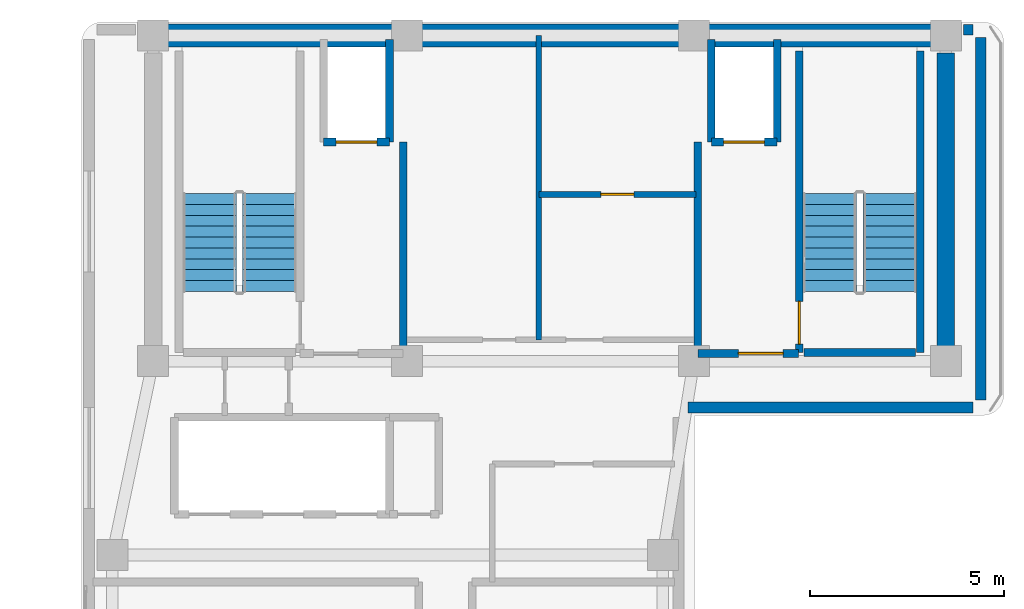
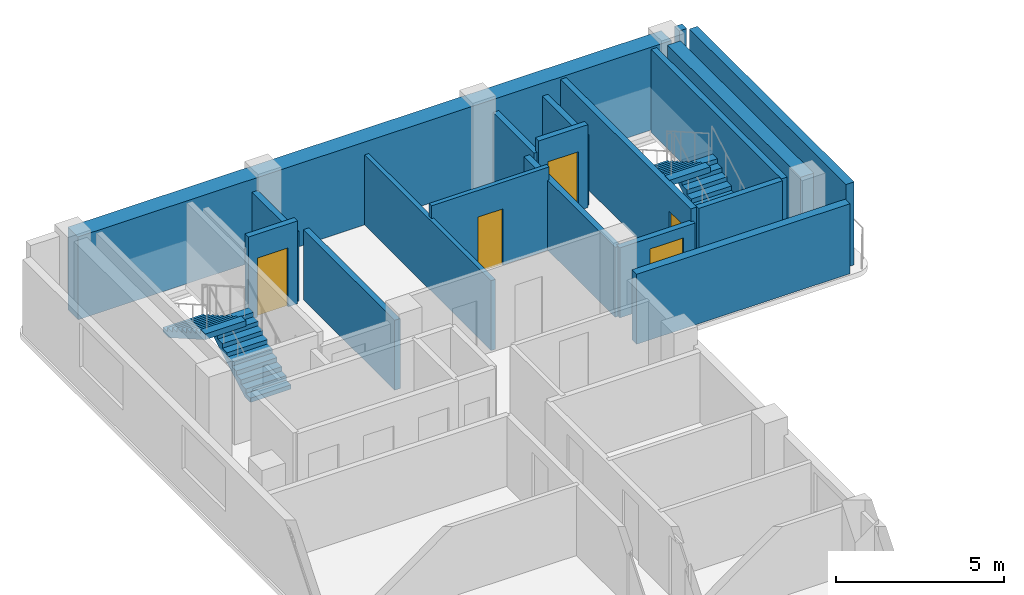
# One storey, part 8 of 9: 18 walls, 5 doors, 4 stair flights, 5 openings, 2 elements without a shape of their own.
"""IFC4 building model written with IfcOpenShell, lengths in metres."""

from ifc_helpers import new_model, si_unit, direction, frame, frame_2d, origin, place, context, subcontext, project, spatial, polyline, rectangle, outline, extrude, material, layer, layer_set, type_object, element, fill, aggregate, save


model = new_model("IFC4")

# Units and contexts
model_context = context("Model", 3, precision=1e-05, world=origin(), true_north=direction((0.0, 1.0)))
body_context = subcontext(model_context, "Body", "Model", "MODEL_VIEW")
ifc_project = project(units=[si_unit("LENGTHUNIT", "METRE"), si_unit("AREAUNIT", "SQUARE_METRE"), si_unit("VOLUMEUNIT", "CUBIC_METRE"), si_unit("PLANEANGLEUNIT", "RADIAN"), si_unit("MASSUNIT", "GRAM", prefix="KILO")], contexts=[model_context])

# Site, building, storey
site_placement = place(None, origin())
site = spatial("IfcSite", under=ifc_project, at=site_placement, CompositionType="ELEMENT")
building_placement = place(site_placement, origin())
building = spatial("IfcBuilding", under=site, at=building_placement, Name="Kuzgunbayir Cultural Tower", CompositionType="ELEMENT")
storey_placement = place(building_placement, frame((0.0, 0.0, 240.800048828125)))
storey = spatial("IfcBuildingStorey", under=building, at=storey_placement, Name="L71", CompositionType="ELEMENT", Elevation=240.800048828125)

# Walls
ifc_material_1 = material(Name="Concrete C50/60", Category="concrete")
ifc_layer_1 = layer(ifc_material_1, 0.449951171875)
ifc_layer_set_1 = layer_set([ifc_layer_1], Name="Concrete C50/60")
wall_type_1 = type_object("IfcWallType", Name="WAL-CORE-450", PredefinedType="SHEAR", material=ifc_layer_set_1)
wall_1_placement = place(storey_placement, frame((26.89990234375, 33.800048828125, 0.0), z_axis=(0.0, 0.0, 1.0), x_axis=(0.0, 1.0, 0.0)))
element("IfcWall", 1, at=wall_1_placement, inside=storey, type_object=wall_type_1, Name="L71 T1 Core East Shear Wall", PredefinedType="SHEAR", context=body_context, shape_type="SweptSolid", body=[
    extrude(rectangle(XDim=7.949951171875, YDim=0.449951171875, at=frame_2d((3.97509765625, 0.0))), origin(), (0.0, 0.0, 1.0), 3.02001953125),
])
ifc_material_2 = material(Name="Concrete C60/75", Category="concrete")
ifc_layer_2 = layer(ifc_material_2, 0.60009765625)
ifc_layer_set_2 = layer_set([ifc_layer_2], Name="Concrete C60/75")
wall_type_2 = type_object("IfcWallType", Name="WAL-CORE-600", PredefinedType="SHEAR", material=ifc_layer_set_2)
wall_2_placement = place(storey_placement, frame((6.449951171875, 42.199951171875, 0.0), z_axis=(0.0, 0.0, 1.0), x_axis=(1.0, 0.0, 0.0)))
element("IfcWall", 2, at=wall_2_placement, inside=storey, type_object=wall_type_2, Name="L71 T1 Core North Shear Wall", PredefinedType="SHEAR", context=body_context, shape_type="SweptSolid", body=[
    extrude(rectangle(XDim=20.449951171875, YDim=0.60009765625, at=frame_2d((10.22509765625, 0.0))), origin(), (0.0, 0.0, 1.0), 3.02001953125),
])
ifc_material_3 = material(Name="Anatolian Cream Limestone", Category="masonry")
ifc_layer_3 = layer(ifc_material_3, 0.280029296875)
ifc_layer_set_3 = layer_set([ifc_layer_3], Name="Anatolian Cream Limestone")
wall_type_3 = type_object("IfcWallType", Name="WAL-EXT-STONE-280", PredefinedType="STANDARD", material=ifc_layer_set_3)
wall_3_placement = place(storey_placement, frame((27.60009765625, 42.35009765625, 0.0), z_axis=(0.0, 0.0, 1.0), x_axis=(-1.0, 0.0, 0.0)))
element("IfcWall", 3, at=wall_3_placement, inside=storey, type_object=wall_type_3, Name="L71 North Wing B Limestone Wall", PredefinedType="STANDARD", context=body_context, shape_type="SweptSolid", body=[
    extrude(rectangle(XDim=0.25, YDim=0.280029296875, at=frame_2d((0.125, 0.0))), origin(), (0.0, 0.0, 1.0), 3.02001953125),
])
wall_4_placement = place(storey_placement, frame((27.800048828125, 32.800048828125, 0.0), z_axis=(0.0, 0.0, 1.0), x_axis=(0.0, 1.0, 0.0)))
element("IfcWall", 4, at=wall_4_placement, inside=storey, type_object=wall_type_3, Name="L71 Rear Core East Limestone Wall", PredefinedType="STANDARD", context=body_context, shape_type="SweptSolid", body=[
    extrude(rectangle(XDim=9.349853515625, YDim=0.280029296875, at=frame_2d((4.6748046875, 0.0))), origin(), (0.0, 0.0, 1.0), 3.02001953125),
])
wall_5_placement = place(storey_placement, frame((20.25, 32.60009765625, 0.0), z_axis=(0.0, 0.0, 1.0), x_axis=(1.0, 0.0, 0.0)))
element("IfcWall", 5, at=wall_5_placement, inside=storey, type_object=wall_type_3, Name="L71 Core South Soffit Wall", PredefinedType="STANDARD", context=body_context, shape_type="SweptSolid", body=[
    extrude(rectangle(XDim=7.35009765625, YDim=0.280029296875, at=frame_2d((3.675048828125, 0.0))), origin(), (0.0, 0.0, 1.0), 2.550048828125),
])
ifc_material_4 = material(Name="Acoustic Double-Stud Drywall", Category="gypsum")
ifc_layer_4 = layer(ifc_material_4, 0.14990234375)
ifc_layer_set_4 = layer_set([ifc_layer_4], Name="Acoustic Double-Stud Drywall")
wall_type_4 = type_object("IfcWallType", Name="WAL-PART-ACOUSTIC-150", PredefinedType="PARTITIONING", material=ifc_layer_set_4)
wall_6_placement = place(storey_placement, frame((16.39990234375, 34.35009765625, 0.0), z_axis=(0.0, 0.0, 1.0), x_axis=(0.0, 1.0, 0.0)))
element("IfcWall", 6, at=wall_6_placement, inside=storey, type_object=wall_type_4, Name="L71 Sky Core Tri-Wall 1", PredefinedType="PARTITIONING", context=body_context, shape_type="SweptSolid", body=[
    extrude(rectangle(XDim=7.849853515625, YDim=0.14990234375, at=frame_2d((3.9248046875, 0.0))), origin(), (0.0, 0.0, 1.0), 2.550048828125),
])

# Wall, opening, door
wall_7_placement = place(storey_placement, frame((16.39990234375, 38.10009765625, 0.0), z_axis=(0.0, 0.0, 1.0), x_axis=(1.0, 0.0, 0.0)))
wall_7 = element("IfcWall", 7, at=wall_7_placement, inside=storey, type_object=wall_type_4, Name="L71 Sky Core Mid Divider", PredefinedType="PARTITIONING", context=body_context, shape_type="SweptSolid", body=[
    extrude(rectangle(XDim=4.050048828125, YDim=0.14990234375, at=frame_2d((2.02490234375, 0.0))), origin(), (0.0, 0.0, 1.0), 3.02001953125),
])
opening_1_placement = place(wall_7_placement, frame((1.60009765625, 0.0, 0.0)))
opening_1 = element("IfcOpeningElement", 8, at=opening_1_placement, cuts=wall_7, Name="Opening DC-85", PredefinedType="OPENING", context=body_context, shape_type="SweptSolid", body=[
    extrude(rectangle(XDim=0.85009765625, YDim=2.050048828125, at=frame_2d((0.425048828125, 1.02490234375))), frame((0.0, 0.0849609375, 0.0), z_axis=(0.0, -1.0, 0.0), x_axis=(1.0, 0.0, 0.0)), (0.0, 0.0, 1.0), 0.169921875),
])
ifc_material_5 = material(Name="Fire-Rated Veneered Oak Leaf", Category="wood")
door_type_1 = type_object("IfcDoorType", Name="DR-CORE-85", OperationType="NOTDEFINED", PredefinedType="DOOR", material=ifc_material_5)
door_1_placement = place(opening_1_placement, origin())
door_1 = element("IfcDoor", 9, at=door_1_placement, inside=storey, type_object=door_type_1, Name="L71 Meditation Room Door", OperationType="SINGLE_SWING_LEFT", OverallHeight=2.050048828125, OverallWidth=0.85009765625, PredefinedType="DOOR", context=body_context, shape_type="SweptSolid", body=[
    extrude(rectangle(XDim=0.85009765625, YDim=2.050048828125, at=frame_2d((0.425048828125, 1.02490234375))), frame((0.0, 0.02490234375, 0.0), z_axis=(0.0, -1.0, 0.0), x_axis=(1.0, 0.0, 0.0)), (0.0, 0.0, 1.0), 0.050048828125),
])
fill(opening_1, door_1)

# Walls
ifc_material_6 = material(Name="Aerated Concrete Blockwork", Category="masonry")
ifc_layer_5 = layer(ifc_material_6, 0.199951171875)
ifc_layer_set_5 = layer_set([ifc_layer_5], Name="Aerated Concrete Blockwork")
wall_type_5 = type_object("IfcWallType", Name="WAL-PART-FIRE-200", PredefinedType="PARTITIONING", material=ifc_layer_set_5)
for number, where, z_axis, x_axis, name in (
    (10, (12.89990234375, 34.0, 0.0), (0.0, 0.0, 1.0), (0.0, 1.0, 0.0), "L71 FFL-1 Lobby East Fire Wall"),
    (11, (20.5, 34.0, 0.0), (0.0, 0.0, 1.0), (0.0, 1.0, 0.0), "L71 FFL-2 Lobby West Fire Wall"),
):
    element("IfcWall", number, at=place(storey_placement, frame(where, z_axis=z_axis, x_axis=x_axis)), inside=storey, type_object=wall_type_5, Name=name, PredefinedType="PARTITIONING", context=body_context, shape_type="SweptSolid", body=[
        extrude(rectangle(XDim=5.449951171875, YDim=0.199951171875, at=frame_2d((2.72509765625, 0.0))), origin(), (0.0, 0.0, 1.0), 2.550048828125),
    ])

# Wall, opening, door
wall_8_placement = place(storey_placement, frame((20.5, 34.0, 0.0), z_axis=(0.0, 0.0, 1.0), x_axis=(1.0, 0.0, 0.0)))
wall_8 = element("IfcWall", 12, at=wall_8_placement, inside=storey, type_object=wall_type_5, Name="L71 FFL-2 Lobby South Fire Wall", PredefinedType="PARTITIONING", context=body_context, shape_type="SweptSolid", body=[
    extrude(rectangle(XDim=2.60009765625, YDim=0.199951171875, at=frame_2d((1.300048828125, 0.0))), origin(), (0.0, 0.0, 1.0), 2.550048828125),
])
opening_2_placement = place(wall_8_placement, frame((1.050048828125, 0.0, 0.0)))
opening_2 = element("IfcOpeningElement", 13, at=opening_2_placement, cuts=wall_8, Name="Opening DR-FFL-90", PredefinedType="OPENING", context=body_context, shape_type="SweptSolid", body=[
    extrude(rectangle(XDim=1.14990234375, YDim=2.14990234375, at=frame_2d((0.574951171875, 1.074951171875))), frame((0.0, 0.10986328125, 0.0), z_axis=(0.0, -1.0, 0.0), x_axis=(1.0, 0.0, 0.0)), (0.0, 0.0, 1.0), 0.219970703125),
])
ifc_material_7 = material(Name="Steel S355J2", Category="steel")
door_type_2 = type_object("IfcDoorType", Name="DR-FFL-90", OperationType="NOTDEFINED", PredefinedType="DOOR", material=ifc_material_7)
door_2_placement = place(opening_2_placement, origin())
door_2 = element("IfcDoor", 14, at=door_2_placement, inside=storey, type_object=door_type_2, Name="L71 Firefighting Lobby 2 Door", OperationType="SINGLE_SWING_LEFT", OverallHeight=2.14990234375, OverallWidth=1.14990234375, PredefinedType="DOOR", context=body_context, shape_type="SweptSolid", body=[
    extrude(rectangle(XDim=1.14990234375, YDim=2.14990234375, at=frame_2d((0.574951171875, 1.074951171875))), frame((0.0, 0.02490234375, 0.0), z_axis=(0.0, -1.0, 0.0), x_axis=(1.0, 0.0, 0.0)), (0.0, 0.0, 1.0), 0.050048828125),
])
fill(opening_2, door_2)

ifc_material_8 = material(Name="Concrete C40/50", Category="concrete")
ifc_layer_6 = layer(ifc_material_8, 0.199951171875)
ifc_layer_set_6 = layer_set([ifc_layer_6], Name="Concrete C40/50")
wall_type_6 = type_object("IfcWallType", Name="WAL-SHAFT-200", PredefinedType="MOVABLE", material=ifc_layer_set_6)
wall_9_placement = place(storey_placement, frame((10.85009765625, 39.449951171875, 0.0), z_axis=(0.0, 0.0, 1.0), x_axis=(1.0, 0.0, 0.0)))
wall_9 = element("IfcWall", 15, at=wall_9_placement, inside=storey, type_object=wall_type_6, Name="L71 FFL-1 Lift Front Wall", PredefinedType="MOVABLE", context=body_context, shape_type="SweptSolid", body=[
    extrude(rectangle(XDim=1.699951171875, YDim=0.199951171875, at=frame_2d((0.85009765625, 0.0))), origin(), (0.0, 0.0, 1.0), 3.02001953125),
])
opening_3_placement = place(wall_9_placement, frame((0.320068359375, 0.0, 0.0)))
opening_3 = element("IfcOpeningElement", 16, at=opening_3_placement, cuts=wall_9, Name="Opening LD", PredefinedType="OPENING", context=body_context, shape_type="SweptSolid", body=[
    extrude(rectangle(XDim=1.050048828125, YDim=2.14990234375, at=frame_2d((0.52490234375, 1.074951171875))), frame((0.0, 0.10986328125, 0.0), z_axis=(0.0, -1.0, 0.0), x_axis=(1.0, 0.0, 0.0)), (0.0, 0.0, 1.0), 0.219970703125),
])
ifc_material_9 = material(Name="Brushed Stainless Steel", Category="steel")
door_type_3 = type_object("IfcDoorType", Name="DR-LIFT-LANDING", OperationType="SLIDING_TO_LEFT", PredefinedType="DOOR", material=ifc_material_9)
door_3_placement = place(opening_3_placement, origin())
door_3 = element("IfcDoor", 17, at=door_3_placement, inside=storey, type_object=door_type_3, Name="L71 Lift FFL-1 Landing Door", OperationType="SLIDING_TO_LEFT", OverallHeight=2.14990234375, OverallWidth=1.050048828125, PredefinedType="DOOR", context=body_context, shape_type="SweptSolid", body=[
    extrude(rectangle(XDim=1.050048828125, YDim=2.14990234375, at=frame_2d((0.52490234375, 1.074951171875))), frame((0.0, 0.02490234375, 0.0), z_axis=(0.0, -1.0, 0.0), x_axis=(1.0, 0.0, 0.0)), (0.0, 0.0, 1.0), 0.050048828125),
])
fill(opening_3, door_3)

wall_10_placement = place(storey_placement, frame((20.85009765625, 39.449951171875, 0.0), z_axis=(0.0, 0.0, 1.0), x_axis=(1.0, 0.0, 0.0)))
wall_10 = element("IfcWall", 18, at=wall_10_placement, inside=storey, type_object=wall_type_6, Name="L71 FFL-2 Lift Front Wall", PredefinedType="MOVABLE", context=body_context, shape_type="SweptSolid", body=[
    extrude(rectangle(XDim=1.699951171875, YDim=0.199951171875, at=frame_2d((0.85009765625, 0.0))), origin(), (0.0, 0.0, 1.0), 3.02001953125),
])
opening_4_placement = place(wall_10_placement, frame((0.320068359375, 0.0, 0.0)))
opening_4 = element("IfcOpeningElement", 19, at=opening_4_placement, cuts=wall_10, Name="Opening LD", PredefinedType="OPENING", context=body_context, shape_type="SweptSolid", body=[
    extrude(rectangle(XDim=1.050048828125, YDim=2.14990234375, at=frame_2d((0.52490234375, 1.074951171875))), frame((0.0, 0.10986328125, 0.0), z_axis=(0.0, -1.0, 0.0), x_axis=(1.0, 0.0, 0.0)), (0.0, 0.0, 1.0), 0.219970703125),
])
door_4_placement = place(opening_4_placement, origin())
door_4 = element("IfcDoor", 20, at=door_4_placement, inside=storey, type_object=door_type_3, Name="L71 Lift FFL-2 Landing Door", OperationType="SLIDING_TO_LEFT", OverallHeight=2.14990234375, OverallWidth=1.050048828125, PredefinedType="DOOR", context=body_context, shape_type="SweptSolid", body=[
    extrude(rectangle(XDim=1.050048828125, YDim=2.14990234375, at=frame_2d((0.52490234375, 1.074951171875))), frame((0.0, 0.02490234375, 0.0), z_axis=(0.0, -1.0, 0.0), x_axis=(1.0, 0.0, 0.0)), (0.0, 0.0, 1.0), 0.050048828125),
])
fill(opening_4, door_4)

# Walls
for number, where, z_axis, x_axis, name in (
    (21, (12.550048828125, 39.449951171875, 0.0), (0.0, 0.0, 1.0), (0.0, 1.0, 0.0), "L71 FFL-1 Shaft East Wall"),
    (22, (20.85009765625, 39.449951171875, 0.0), (0.0, 0.0, 1.0), (0.0, 1.0, 0.0), "L71 FFL-2 Shaft West Wall"),
    (23, (22.550048828125, 39.449951171875, 0.0), (0.0, 0.0, 1.0), (0.0, 1.0, 0.0), "L71 FFL-2 Shaft East Wall"),
):
    element("IfcWall", number, at=place(storey_placement, frame(where, z_axis=z_axis, x_axis=x_axis)), inside=storey, type_object=wall_type_6, Name=name, PredefinedType="MOVABLE", context=body_context, shape_type="SweptSolid", body=[
        extrude(rectangle(XDim=2.650146484375, YDim=0.199951171875, at=frame_2d((1.3251953125, 0.0))), origin(), (0.0, 0.0, 1.0), 2.550048828125),
    ])

# Wall, opening, door
ifc_layer_7 = layer(ifc_material_8, 0.199951171875)
ifc_layer_set_7 = layer_set([ifc_layer_7], Name="Concrete C40/50")
wall_type_7 = type_object("IfcWallType", Name="WAL-STAIR-RC-200", PredefinedType="SHEAR", material=ifc_layer_set_7)
wall_11_placement = place(storey_placement, frame((23.1201171875, 34.02001953125, 0.0), z_axis=(0.0, 0.0, 1.0), x_axis=(0.0, 1.0, 0.0)))
wall_11 = element("IfcWall", 24, at=wall_11_placement, inside=storey, type_object=wall_type_7, Name="L71 Stair ST-2 West Structural Wall", PredefinedType="SHEAR", context=body_context, shape_type="SweptSolid", body=[
    extrude(rectangle(XDim=7.780029296875, YDim=0.199951171875, at=frame_2d((3.89013671875, 0.0))), origin(), (0.0, 0.0, 1.0), 3.02001953125),
])
opening_5_placement = place(wall_11_placement, frame((0.219970703125, 0.0, 0.0)))
opening_5 = element("IfcOpeningElement", 25, at=opening_5_placement, cuts=wall_11, Name="Opening DR-STAIR-90", PredefinedType="OPENING", context=body_context, shape_type="SweptSolid", body=[
    extrude(rectangle(XDim=1.10009765625, YDim=2.14990234375, at=frame_2d((0.550048828125, 1.074951171875))), frame((0.0, 0.10986328125, 0.0), z_axis=(0.0, -1.0, 0.0), x_axis=(1.0, 0.0, 0.0)), (0.0, 0.0, 1.0), 0.219970703125),
])
door_type_4 = type_object("IfcDoorType", Name="DR-STAIR-90", OperationType="NOTDEFINED", PredefinedType="DOOR", material=ifc_material_7)
door_5_placement = place(opening_5_placement, origin())
door_5 = element("IfcDoor", 26, at=door_5_placement, inside=storey, type_object=door_type_4, Name="L71 Stair ST-2 Fire Door", OperationType="SINGLE_SWING_LEFT", OverallHeight=2.14990234375, OverallWidth=1.10009765625, PredefinedType="DOOR", context=body_context, shape_type="SweptSolid", body=[
    extrude(rectangle(XDim=1.10009765625, YDim=2.14990234375, at=frame_2d((0.550048828125, 1.074951171875))), frame((0.0, 0.02490234375, 0.0), z_axis=(0.0, -1.0, 0.0), x_axis=(1.0, 0.0, 0.0)), (0.0, 0.0, 1.0), 0.050048828125),
])
fill(opening_5, door_5)

# Walls
wall_12_placement = place(storey_placement, frame((26.239990234375, 34.02001953125, 0.0), z_axis=(0.0, 0.0, 1.0), x_axis=(0.0, 1.0, 0.0)))
element("IfcWall", 27, at=wall_12_placement, inside=storey, type_object=wall_type_7, Name="L71 Stair ST-2 East Structural Wall", PredefinedType="SHEAR", context=body_context, shape_type="SweptSolid", body=[
    extrude(rectangle(XDim=7.780029296875, YDim=0.199951171875, at=frame_2d((3.89013671875, 0.0))), origin(), (0.0, 0.0, 1.0), 3.02001953125),
])
wall_13_placement = place(storey_placement, frame((23.239990234375, 34.02001953125, 0.0), z_axis=(0.0, 0.0, 1.0), x_axis=(1.0, 0.0, 0.0)))
element("IfcWall", 28, at=wall_13_placement, inside=storey, type_object=wall_type_7, Name="L71 Stair ST-2 South Structural Wall", PredefinedType="SHEAR", context=body_context, shape_type="SweptSolid", body=[
    extrude(rectangle(XDim=2.880126953125, YDim=0.199951171875, at=frame_2d((1.43994140625, 0.0))), origin(), (0.0, 0.0, 1.0), 3.02001953125),
])

# Stair, stair flights
stair_type = type_object("IfcStairType", Name="STR-EXIT-CORE", PredefinedType="HALF_TURN_STAIR", material=ifc_material_8)
stair_1_placement = place(storey_placement, origin())
stair_1 = element("IfcStair", 29, at=stair_1_placement, inside=storey, type_object=stair_type, Name="L71 ST-1", PredefinedType="HALF_TURN_STAIR")
stair_flight_type = type_object("IfcStairFlightType", Name="STRF-RC-140", PredefinedType="STRAIGHT", material=ifc_material_8)
stair_flight_1_placement = place(storey_placement, frame((9.4599609375, 35.60009765625, 0.0), z_axis=(0.0, 0.0, 1.0), x_axis=(0.0, 1.0, 0.0)))
stair_flight_1 = element("IfcStairFlight", 30, at=stair_flight_1_placement, type_object=stair_flight_type, Name="ST-1 flight 1", NumberOfRisers=10, NumberOfTreads=9, PredefinedType="STRAIGHT", RiserHeight=0.16, TreadLength=0.28, context=body_context, shape_type="SweptSolid", body=[
    extrude(outline(polyline([(0.0, 0.0), (0.0, 0.159912109375), (0.280029296875, 0.159912109375), (0.280029296875, 0.320068359375), (0.56005859375, 0.320068359375), (0.56005859375, 0.47998046875), (0.840087890625, 0.47998046875), (0.840087890625, 0.639892578125), (1.1201171875, 0.639892578125), (1.1201171875, 0.800048828125), (1.39990234375, 0.800048828125), (1.39990234375, 0.9599609375), (1.679931640625, 0.9599609375), (1.679931640625, 1.1201171875), (1.9599609375, 1.1201171875), (1.9599609375, 1.280029296875), (2.239990234375, 1.280029296875), (2.239990234375, 1.43994140625), (2.52001953125, 1.43994140625), (2.52001953125, 1.60009765625), (2.52001953125, 1.232666015625), (0.362548828125, 0.0), (0.0, 0.0)])), frame((0.0, 0.699951171875, 0.0), z_axis=(0.0, -1.0, 0.0), x_axis=(1.0, 0.0, 0.0)), (0.0, 0.0, 1.0), 1.39990234375),
])
stair_flight_2_placement = place(storey_placement, frame((7.89990234375, 38.1201171875, 1.599853515625), z_axis=(0.0, 0.0, 1.0), x_axis=(0.0, -1.0, 0.0)))
stair_flight_2 = element("IfcStairFlight", 31, at=stair_flight_2_placement, type_object=stair_flight_type, Name="ST-1 flight 2", NumberOfRisers=10, NumberOfTreads=9, PredefinedType="STRAIGHT", RiserHeight=0.16, TreadLength=0.28, context=body_context, shape_type="SweptSolid", body=[
    extrude(outline(polyline([(0.0, 0.0), (0.0, 0.159912109375), (0.280029296875, 0.159912109375), (0.280029296875, 0.320068359375), (0.56005859375, 0.320068359375), (0.56005859375, 0.47998046875), (0.840087890625, 0.47998046875), (0.840087890625, 0.639892578125), (1.1201171875, 0.639892578125), (1.1201171875, 0.800048828125), (1.39990234375, 0.800048828125), (1.39990234375, 0.9599609375), (1.679931640625, 0.9599609375), (1.679931640625, 1.1201171875), (1.9599609375, 1.1201171875), (1.9599609375, 1.280029296875), (2.239990234375, 1.280029296875), (2.239990234375, 1.43994140625), (2.52001953125, 1.43994140625), (2.52001953125, 1.60009765625), (2.52001953125, 1.232666015625), (0.362548828125, 0.0), (0.0, 0.0)])), frame((0.0, 0.699951171875, 0.0), z_axis=(0.0, -1.0, 0.0), x_axis=(1.0, 0.0, 0.0)), (0.0, 0.0, 1.0), 1.39990234375),
])
aggregate(stair_1, [stair_flight_1, stair_flight_2])

stair_2_placement = place(storey_placement, origin())
stair_2 = element("IfcStair", 32, at=stair_2_placement, inside=storey, type_object=stair_type, Name="L71 ST-2", PredefinedType="HALF_TURN_STAIR")
stair_flight_3_placement = place(storey_placement, frame((25.4599609375, 35.60009765625, 0.0), z_axis=(0.0, 0.0, 1.0), x_axis=(0.0, 1.0, 0.0)))
stair_flight_3 = element("IfcStairFlight", 33, at=stair_flight_3_placement, type_object=stair_flight_type, Name="ST-2 flight 1", NumberOfRisers=10, NumberOfTreads=9, PredefinedType="STRAIGHT", RiserHeight=0.16, TreadLength=0.28, context=body_context, shape_type="SweptSolid", body=[
    extrude(outline(polyline([(0.0, 0.0), (0.0, 0.159912109375), (0.280029296875, 0.159912109375), (0.280029296875, 0.320068359375), (0.56005859375, 0.320068359375), (0.56005859375, 0.47998046875), (0.840087890625, 0.47998046875), (0.840087890625, 0.639892578125), (1.1201171875, 0.639892578125), (1.1201171875, 0.800048828125), (1.39990234375, 0.800048828125), (1.39990234375, 0.9599609375), (1.679931640625, 0.9599609375), (1.679931640625, 1.1201171875), (1.9599609375, 1.1201171875), (1.9599609375, 1.280029296875), (2.239990234375, 1.280029296875), (2.239990234375, 1.43994140625), (2.52001953125, 1.43994140625), (2.52001953125, 1.60009765625), (2.52001953125, 1.232666015625), (0.362548828125, 0.0), (0.0, 0.0)])), frame((0.0, 0.699951171875, 0.0), z_axis=(0.0, -1.0, 0.0), x_axis=(1.0, 0.0, 0.0)), (0.0, 0.0, 1.0), 1.39990234375),
])
stair_flight_4_placement = place(storey_placement, frame((23.89990234375, 38.1201171875, 1.599853515625), z_axis=(0.0, 0.0, 1.0), x_axis=(0.0, -1.0, 0.0)))
stair_flight_4 = element("IfcStairFlight", 34, at=stair_flight_4_placement, type_object=stair_flight_type, Name="ST-2 flight 2", NumberOfRisers=10, NumberOfTreads=9, PredefinedType="STRAIGHT", RiserHeight=0.16, TreadLength=0.28, context=body_context, shape_type="SweptSolid", body=[
    extrude(outline(polyline([(0.0, 0.0), (0.0, 0.159912109375), (0.280029296875, 0.159912109375), (0.280029296875, 0.320068359375), (0.56005859375, 0.320068359375), (0.56005859375, 0.47998046875), (0.840087890625, 0.47998046875), (0.840087890625, 0.639892578125), (1.1201171875, 0.639892578125), (1.1201171875, 0.800048828125), (1.39990234375, 0.800048828125), (1.39990234375, 0.9599609375), (1.679931640625, 0.9599609375), (1.679931640625, 1.1201171875), (1.9599609375, 1.1201171875), (1.9599609375, 1.280029296875), (2.239990234375, 1.280029296875), (2.239990234375, 1.43994140625), (2.52001953125, 1.43994140625), (2.52001953125, 1.60009765625), (2.52001953125, 1.232666015625), (0.362548828125, 0.0), (0.0, 0.0)])), frame((0.0, 0.699951171875, 0.0), z_axis=(0.0, -1.0, 0.0), x_axis=(1.0, 0.0, 0.0)), (0.0, 0.0, 1.0), 1.39990234375),
])
aggregate(stair_2, [stair_flight_3, stair_flight_4])

save(model, "model.ifc")
